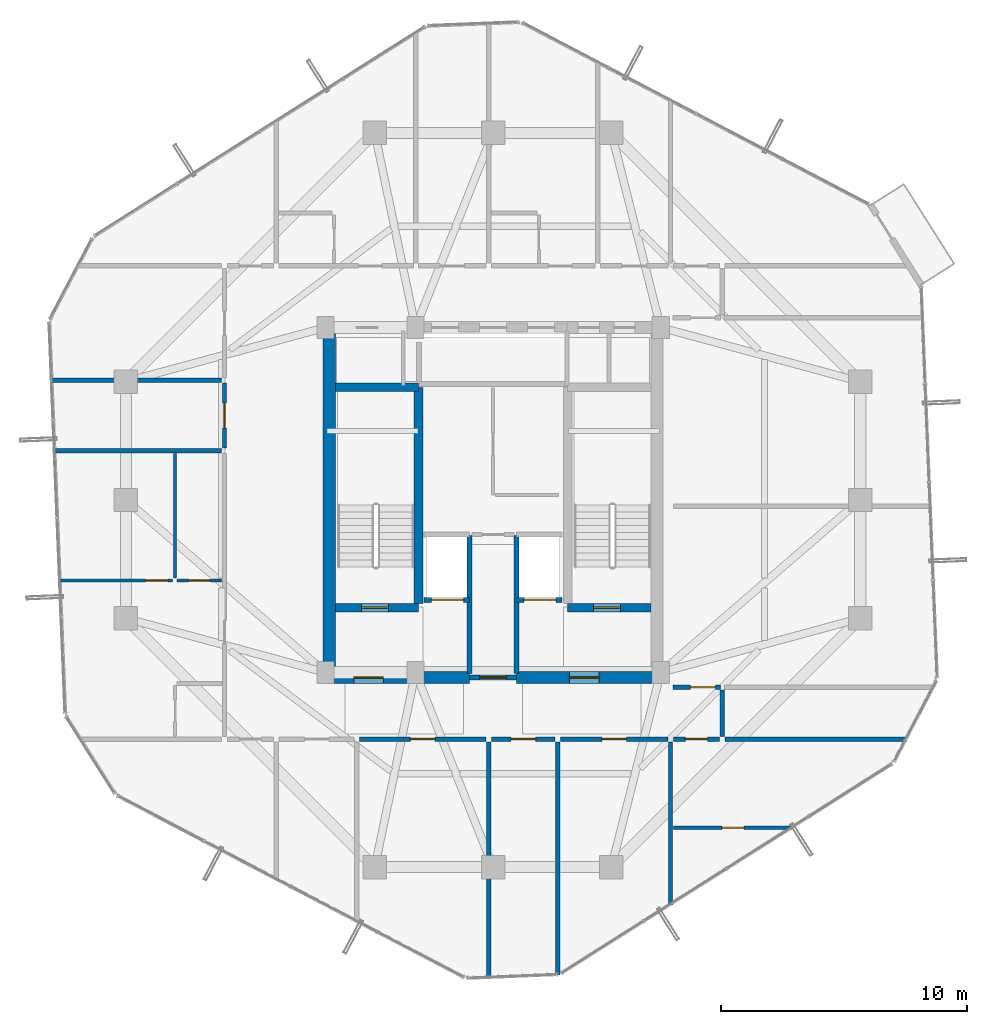
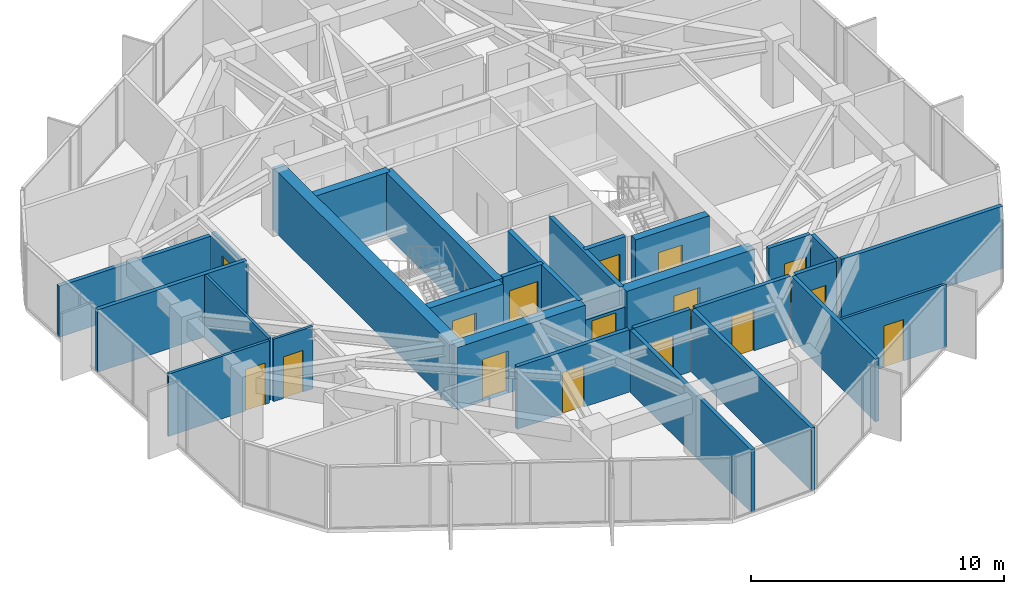
# One storey, part 29 of 33: 29 walls, 16 doors, 16 openings.
"""IFC4 building model written with IfcOpenShell, lengths in metres."""

from ifc_helpers import new_model, si_unit, direction, frame, frame_2d, origin, place, context, subcontext, project, spatial, rectangle, extrude, source, transform, mapped, material, layer, layer_set, type_object, element, fill, save


model = new_model("IFC4")

# Units and contexts
model_context = context("Model", 3, precision=1e-05, world=origin(), true_north=direction((0.0, 1.0)))
body_context = subcontext(model_context, "Body", "Model", "MODEL_VIEW")
ifc_project = project(units=[si_unit("LENGTHUNIT", "METRE"), si_unit("AREAUNIT", "SQUARE_METRE"), si_unit("VOLUMEUNIT", "CUBIC_METRE"), si_unit("PLANEANGLEUNIT", "RADIAN"), si_unit("MASSUNIT", "GRAM", prefix="KILO")], contexts=[model_context])

# Site, building, storey
site_placement = place(None, origin())
site = spatial("IfcSite", under=ifc_project, at=site_placement, CompositionType="ELEMENT")
building_placement = place(site_placement, origin())
building = spatial("IfcBuilding", under=site, at=building_placement, Name="Veraguas Prism Commons", CompositionType="ELEMENT")
storey_placement = place(building_placement, frame((0.0, 0.0, 198.35009765625)))
storey = spatial("IfcBuildingStorey", under=building, at=storey_placement, Name="L56", CompositionType="ELEMENT", Elevation=198.35009765625)

# Wall, opening, door
ifc_material_1 = material(Name="Concrete C50/60", Category="concrete")
ifc_layer_1 = layer(ifc_material_1, 0.35009765625, Name="Core Internal Shear Wall Upper RC 350", Category="concrete")
ifc_layer_set_1 = layer_set([ifc_layer_1], Name="Concrete C50/60")
wall_type_1 = type_object("IfcWallType", Name="Core Internal Shear Wall Upper RC 350", PredefinedType="SHEAR", material=ifc_layer_set_1)
wall_1_placement = place(storey_placement, frame((17.60009765625, 19.625, 0.0), z_axis=(0.0, 0.0, 1.0), x_axis=(1.0, 0.0, 0.0)))
wall_1 = element("IfcWall", 1, at=wall_1_placement, inside=storey, type_object=wall_type_1, Name="Stair ST-01 South Shear Wall L56", PredefinedType="SHEAR", context=body_context, shape_type="SweptSolid", body=[
    extrude(rectangle(XDim=3.375, YDim=0.35009765625, at=frame_2d((1.6875, 0.0))), origin(), (0.0, 0.0, 1.0), 3.014892578125),
])
opening_1_placement = place(wall_1_placement, frame((1.050048828125, 0.0, 0.0)))
opening_1 = element("IfcOpeningElement", 2, at=opening_1_placement, cuts=wall_1, Name="Opening DR-05", PredefinedType="OPENING", context=body_context, shape_type="SweptSolid", body=[
    extrude(rectangle(XDim=1.10009765625, YDim=2.030029296875, at=frame_2d((0.550048828125, 1.01513671875))), frame((0.0, 0.18505859375, 0.0), z_axis=(0.0, -1.0, 0.0), x_axis=(1.0, 0.0, 0.0)), (0.0, 0.0, 1.0), 0.3701171875),
])
ifc_material_2 = material(Name="Steel fire-rated door assembly", Category="steel")
door_type_1 = type_object("IfcDoorType", Name="Protected Stair and Refuge Fire Door 1100x2030", OperationType="NOTDEFINED", PredefinedType="DOOR", material=ifc_material_2)
shared_shape_1 = source(origin(), body_context, "Body", "SweptSolid", [
    extrude(rectangle(XDim=1.10009765625, YDim=2.030029296875, at=frame_2d((0.550048828125, 1.01513671875))), frame((0.0, 0.02490234375, 0.0), z_axis=(0.0, -1.0, 0.0), x_axis=(1.0, 0.0, 0.0)), (0.0, 0.0, 1.0), 0.050048828125),
])
door_1_placement = place(opening_1_placement, origin())
door_1 = element("IfcDoor", 3, at=door_1_placement, inside=storey, type_object=door_type_1, Name="Stair ST-01 Enclosure Door L56", OperationType="SINGLE_SWING_RIGHT", OverallHeight=2.030029296875, OverallWidth=1.10009765625, PredefinedType="DOOR", context=body_context, shape_type="MappedRepresentation", body=[
    mapped(shared_shape_1, transform((0.0, 0.0, 0.0), scale=1.0)),
])
fill(opening_1, door_1)

wall_2_placement = place(storey_placement, frame((27.02490234375, 19.625, 0.0), z_axis=(0.0, 0.0, 1.0), x_axis=(1.0, 0.0, 0.0)))
wall_2 = element("IfcWall", 4, at=wall_2_placement, inside=storey, type_object=wall_type_1, Name="Stair ST-02 South Shear Wall L56", PredefinedType="SHEAR", context=body_context, shape_type="SweptSolid", body=[
    extrude(rectangle(XDim=3.375, YDim=0.35009765625, at=frame_2d((1.6875, 0.0))), origin(), (0.0, 0.0, 1.0), 3.014892578125),
])
opening_2_placement = place(wall_2_placement, frame((1.050048828125, 0.0, 0.0)))
opening_2 = element("IfcOpeningElement", 5, at=opening_2_placement, cuts=wall_2, Name="Opening DR-05", PredefinedType="OPENING", context=body_context, shape_type="SweptSolid", body=[
    extrude(rectangle(XDim=1.10009765625, YDim=2.030029296875, at=frame_2d((0.550048828125, 1.01513671875))), frame((0.0, 0.18505859375, 0.0), z_axis=(0.0, -1.0, 0.0), x_axis=(1.0, 0.0, 0.0)), (0.0, 0.0, 1.0), 0.3701171875),
])
door_2_placement = place(opening_2_placement, origin())
door_2 = element("IfcDoor", 6, at=door_2_placement, inside=storey, type_object=door_type_1, Name="Stair ST-02 Enclosure Door L56", OperationType="SINGLE_SWING_LEFT", OverallHeight=2.030029296875, OverallWidth=1.10009765625, PredefinedType="DOOR", context=body_context, shape_type="MappedRepresentation", body=[
    mapped(shared_shape_1, transform((0.0, 0.0, 0.0), scale=1.0)),
])
fill(opening_2, door_2)

# Walls
wall_3_placement = place(storey_placement, frame((20.97509765625, 19.800048828125, 0.0), z_axis=(0.0, 0.0, 1.0), x_axis=(0.0, 1.0, 0.0)))
element("IfcWall", 7, at=wall_3_placement, inside=storey, type_object=wall_type_1, Name="Stair ST-01 Inner Shear Wall L56", PredefinedType="SHEAR", context=body_context, shape_type="SweptSolid", body=[
    extrude(rectangle(XDim=8.77490234375, YDim=0.35009765625, at=frame_2d((4.387451171875, 0.0))), origin(), (0.0, 0.0, 1.0), 3.014892578125),
])
wall_4_placement = place(storey_placement, frame((17.60009765625, 28.574951171875, 0.0), z_axis=(0.0, 0.0, 1.0), x_axis=(1.0, 0.0, 0.0)))
element("IfcWall", 8, at=wall_4_placement, inside=storey, type_object=wall_type_1, Name="Stair ST-01 North Shear Wall L56", PredefinedType="SHEAR", context=body_context, shape_type="SweptSolid", body=[
    extrude(rectangle(XDim=3.375, YDim=0.35009765625, at=frame_2d((1.6875, 0.0))), origin(), (0.0, 0.0, 1.0), 3.014892578125),
])
ifc_layer_2 = layer(ifc_material_1, 0.5, Name="Core Outer Shear Wall Upper RC 500", Category="concrete")
ifc_layer_set_2 = layer_set([ifc_layer_2], Name="Concrete C50/60")
wall_type_2 = type_object("IfcWallType", Name="Core Outer Shear Wall Upper RC 500", PredefinedType="SHEAR", material=ifc_layer_set_2)
wall_5_placement = place(storey_placement, frame((17.35009765625, 16.800048828125, 0.0), z_axis=(0.0, 0.0, 1.0), x_axis=(0.0, 1.0, 0.0)))
element("IfcWall", 9, at=wall_5_placement, inside=storey, type_object=wall_type_2, Name="Central Core West Shear Wall L56", PredefinedType="SHEAR", context=body_context, shape_type="SweptSolid", body=[
    extrude(rectangle(XDim=14.199951171875, YDim=0.5, at=frame_2d((7.10009765625, 0.0))), origin(), (0.0, 0.0, 1.0), 3.014892578125),
])

# Wall, opening, door
wall_6_placement = place(storey_placement, frame((17.199951171875, 16.800048828125, 0.0), z_axis=(0.0, 0.0, 1.0), x_axis=(1.0, 0.0, 0.0)))
wall_6 = element("IfcWall", 10, at=wall_6_placement, inside=storey, type_object=wall_type_2, Name="Central Core South-West Shear Wall L56", PredefinedType="SHEAR", context=body_context, shape_type="SweptSolid", body=[
    extrude(rectangle(XDim=5.85009765625, YDim=0.5, at=frame_2d((2.925048828125, 0.0))), origin(), (0.0, 0.0, 1.0), 3.014892578125),
])
opening_3_placement = place(wall_6_placement, frame((1.14990234375, 0.0, 0.0)))
opening_3 = element("IfcOpeningElement", 11, at=opening_3_placement, cuts=wall_6, Name="Opening DR-06", PredefinedType="OPENING", context=body_context, shape_type="SweptSolid", body=[
    extrude(rectangle(XDim=1.199951171875, YDim=2.030029296875, at=frame_2d((0.60009765625, 1.01513671875))), frame((0.0, 0.260009765625, 0.0), z_axis=(0.0, -1.0, 0.0), x_axis=(1.0, 0.0, 0.0)), (0.0, 0.0, 1.0), 0.52001953125),
])
door_type_2 = type_object("IfcDoorType", Name="Firefighting Lobby Smoke Door 1200x2030", OperationType="NOTDEFINED", PredefinedType="DOOR", material=ifc_material_2)
shared_shape_2 = source(origin(), body_context, "Body", "SweptSolid", [
    extrude(rectangle(XDim=1.199951171875, YDim=2.030029296875, at=frame_2d((0.60009765625, 1.01513671875))), frame((0.0, 0.02490234375, 0.0), z_axis=(0.0, -1.0, 0.0), x_axis=(1.0, 0.0, 0.0)), (0.0, 0.0, 1.0), 0.050048828125),
])
door_3_placement = place(opening_3_placement, origin())
door_3 = element("IfcDoor", 12, at=door_3_placement, inside=storey, type_object=door_type_2, Name="West FF Lobby Door L56", OperationType="SINGLE_SWING_RIGHT", OverallHeight=2.030029296875, OverallWidth=1.199951171875, PredefinedType="DOOR", context=body_context, shape_type="MappedRepresentation", body=[
    mapped(shared_shape_2, transform((0.0, 0.0, 0.0), scale=1.0)),
])
fill(opening_3, door_3)

wall_7_placement = place(storey_placement, frame((24.949951171875, 16.800048828125, 0.0), z_axis=(0.0, 0.0, 1.0), x_axis=(1.0, 0.0, 0.0)))
wall_7 = element("IfcWall", 13, at=wall_7_placement, inside=storey, type_object=wall_type_2, Name="Central Core South-East Shear Wall L56", PredefinedType="SHEAR", context=body_context, shape_type="SweptSolid", body=[
    extrude(rectangle(XDim=5.85009765625, YDim=0.5, at=frame_2d((2.925048828125, 0.0))), origin(), (0.0, 0.0, 1.0), 3.014892578125),
])
opening_4_placement = place(wall_7_placement, frame((2.14990234375, 0.0, 0.0)))
opening_4 = element("IfcOpeningElement", 14, at=opening_4_placement, cuts=wall_7, Name="Opening DR-06", PredefinedType="OPENING", context=body_context, shape_type="SweptSolid", body=[
    extrude(rectangle(XDim=1.199951171875, YDim=2.030029296875, at=frame_2d((0.60009765625, 1.01513671875))), frame((0.0, 0.260009765625, 0.0), z_axis=(0.0, -1.0, 0.0), x_axis=(1.0, 0.0, 0.0)), (0.0, 0.0, 1.0), 0.52001953125),
])
door_4_placement = place(opening_4_placement, origin())
door_4 = element("IfcDoor", 15, at=door_4_placement, inside=storey, type_object=door_type_2, Name="East FF Lobby Door L56", OperationType="SINGLE_SWING_RIGHT", OverallHeight=2.030029296875, OverallWidth=1.199951171875, PredefinedType="DOOR", context=body_context, shape_type="MappedRepresentation", body=[
    mapped(shared_shape_2, transform((0.0, 0.0, 0.0), scale=1.0)),
])
fill(opening_4, door_4)

# Wall
ifc_material_3 = material(Name="Autoclaved aerated masonry block 10 MPa", Category="masonry")
ifc_layer_3 = layer(ifc_material_3, 0.179931640625, Name="Corridor and Inter-Tenancy Partition 180", Category="masonry")
ifc_layer_set_3 = layer_set([ifc_layer_3], Name="Autoclaved aerated masonry block 10 MPa")
wall_type_3 = type_object("IfcWallType", Name="Corridor and Inter-Tenancy Partition 180", PredefinedType="PARTITIONING", material=ifc_layer_set_3)
wall_8_placement = place(storey_placement, frame((31.199951171875, 14.179931640625, 0.0), z_axis=(0.0, 0.0, 1.0), x_axis=(0.0, -1.0, 0.0)))
element("IfcWall", 16, at=wall_8_placement, inside=storey, type_object=wall_type_3, Name="WL-L56-PT002", PredefinedType="PARTITIONING", context=body_context, shape_type="SweptSolid", body=[
    extrude(rectangle(XDim=6.618408203125, YDim=0.179931640625, at=frame_2d((3.30908203125, 0.0))), origin(), (0.0, 0.0, 1.0), 3.014892578125),
])

# Wall, opening, door
wall_9_placement = place(storey_placement, frame((18.5859375, 14.300048828125, 0.0), z_axis=(0.0, 0.0, 1.0), x_axis=(1.0, 0.0, 0.0)))
wall_9 = element("IfcWall", 17, at=wall_9_placement, inside=storey, type_object=wall_type_3, Name="WL-L56-PT004", PredefinedType="PARTITIONING", context=body_context, shape_type="SweptSolid", body=[
    extrude(rectangle(XDim=5.1240234375, YDim=0.179931640625, at=frame_2d((2.56201171875, 0.0))), origin(), (0.0, 0.0, 1.0), 3.014892578125),
])
opening_5_placement = place(wall_9_placement, frame((2.06201171875, 0.0, 0.0)))
opening_5 = element("IfcOpeningElement", 18, at=opening_5_placement, cuts=wall_9, Name="Opening DR-13", PredefinedType="OPENING", context=body_context, shape_type="SweptSolid", body=[
    extrude(rectangle(XDim=1.0, YDim=2.010009765625, at=frame_2d((0.5, 1.0048828125))), frame((0.0, 0.099853515625, 0.0), z_axis=(0.0, -1.0, 0.0), x_axis=(1.0, 0.0, 0.0)), (0.0, 0.0, 1.0), 0.199951171875),
])
door_type_3 = type_object("IfcDoorType", Name="Core Accessible WC and Clinic Fire Door 1000x2010", OperationType="NOTDEFINED", PredefinedType="DOOR", material=ifc_material_2)
shared_shape_3 = source(origin(), body_context, "Body", "SweptSolid", [
    extrude(rectangle(XDim=1.0, YDim=2.010009765625, at=frame_2d((0.5, 1.0048828125))), frame((0.0, 0.02490234375, 0.0), z_axis=(0.0, -1.0, 0.0), x_axis=(1.0, 0.0, 0.0)), (0.0, 0.0, 1.0), 0.050048828125),
])
door_5_placement = place(opening_5_placement, origin())
door_5 = element("IfcDoor", 19, at=door_5_placement, inside=storey, type_object=door_type_3, Name="Co-op Store S Door", OperationType="SINGLE_SWING_LEFT", OverallHeight=2.010009765625, OverallWidth=1.0, PredefinedType="DOOR", context=body_context, shape_type="MappedRepresentation", body=[
    mapped(shared_shape_3, transform((0.0, 0.0, 0.0), scale=1.0)),
])
fill(opening_5, door_5)

# Wall
wall_10_placement = place(storey_placement, frame((23.820068359375, 14.179931640625, 0.0), z_axis=(0.0, 0.0, 1.0), x_axis=(0.0, -1.0, 0.0)))
element("IfcWall", 20, at=wall_10_placement, inside=storey, type_object=wall_type_3, Name="WL-L56-PT006", PredefinedType="PARTITIONING", context=body_context, shape_type="SweptSolid", body=[
    extrude(rectangle(XDim=9.57666015625, YDim=0.179931640625, at=frame_2d((4.788330078125, 0.0))), origin(), (0.0, 0.0, 1.0), 3.014892578125),
])

# Wall, opening, door
wall_11_placement = place(storey_placement, frame((23.929931640625, 14.300048828125, 0.0), z_axis=(0.0, 0.0, 1.0), x_axis=(1.0, 0.0, 0.0)))
wall_11 = element("IfcWall", 21, at=wall_11_placement, inside=storey, type_object=wall_type_3, Name="WL-L56-PT007", PredefinedType="PARTITIONING", context=body_context, shape_type="SweptSolid", body=[
    extrude(rectangle(XDim=2.583984375, YDim=0.179931640625, at=frame_2d((1.2919921875, 0.0))), origin(), (0.0, 0.0, 1.0), 3.014892578125),
])
opening_6_placement = place(wall_11_placement, frame((0.7919921875, 0.0, 0.0)))
opening_6 = element("IfcOpeningElement", 22, at=opening_6_placement, cuts=wall_11, Name="Opening DR-13", PredefinedType="OPENING", context=body_context, shape_type="SweptSolid", body=[
    extrude(rectangle(XDim=1.0, YDim=2.010009765625, at=frame_2d((0.5, 1.0048828125))), frame((0.0, 0.099853515625, 0.0), z_axis=(0.0, -1.0, 0.0), x_axis=(1.0, 0.0, 0.0)), (0.0, 0.0, 1.0), 0.199951171875),
])
door_6_placement = place(opening_6_placement, origin())
door_6 = element("IfcDoor", 23, at=door_6_placement, inside=storey, type_object=door_type_3, Name="Youth Homework Study Room Door", OperationType="SINGLE_SWING_RIGHT", OverallHeight=2.010009765625, OverallWidth=1.0, PredefinedType="DOOR", context=body_context, shape_type="MappedRepresentation", body=[
    mapped(shared_shape_3, transform((0.0, 0.0, 0.0), scale=1.0)),
])
fill(opening_6, door_6)

wall_12_placement = place(storey_placement, frame((26.73388671875, 14.300048828125, 0.0), z_axis=(0.0, 0.0, 1.0), x_axis=(1.0, 0.0, 0.0)))
wall_12 = element("IfcWall", 24, at=wall_12_placement, inside=storey, type_object=wall_type_3, Name="WL-L56-PT008", PredefinedType="PARTITIONING", context=body_context, shape_type="SweptSolid", body=[
    extrude(rectangle(XDim=4.356201171875, YDim=0.179931640625, at=frame_2d((2.17822265625, 0.0))), origin(), (0.0, 0.0, 1.0), 3.014892578125),
])
opening_7_placement = place(wall_12_placement, frame((1.677978515625, 0.0, 0.0)))
opening_7 = element("IfcOpeningElement", 25, at=opening_7_placement, cuts=wall_12, Name="Opening DR-13", PredefinedType="OPENING", context=body_context, shape_type="SweptSolid", body=[
    extrude(rectangle(XDim=1.0, YDim=2.010009765625, at=frame_2d((0.5, 1.0048828125))), frame((0.0, 0.099853515625, 0.0), z_axis=(0.0, -1.0, 0.0), x_axis=(1.0, 0.0, 0.0)), (0.0, 0.0, 1.0), 0.199951171875),
])
door_7_placement = place(opening_7_placement, origin())
door_7 = element("IfcDoor", 26, at=door_7_placement, inside=storey, type_object=door_type_3, Name="Co-op Store S Door", OperationType="SINGLE_SWING_LEFT", OverallHeight=2.010009765625, OverallWidth=1.0, PredefinedType="DOOR", context=body_context, shape_type="MappedRepresentation", body=[
    mapped(shared_shape_3, transform((0.0, 0.0, 0.0), scale=1.0)),
])
fill(opening_7, door_7)

# Walls
wall_13_placement = place(storey_placement, frame((26.6240234375, 14.179931640625, 0.0), z_axis=(0.0, 0.0, 1.0), x_axis=(0.0, -1.0, 0.0)))
element("IfcWall", 27, at=wall_13_placement, inside=storey, type_object=wall_type_3, Name="WL-L56-PT009", PredefinedType="PARTITIONING", context=body_context, shape_type="SweptSolid", body=[
    extrude(rectangle(XDim=9.4619140625, YDim=0.179931640625, at=frame_2d((4.73095703125, 0.0))), origin(), (0.0, 0.0, 1.0), 3.014892578125),
])
wall_14_placement = place(storey_placement, frame((12.97998046875, 26.00390625, 0.0), z_axis=(0.0, 0.0, 1.0), x_axis=(-1.0, 0.0, 0.0)))
element("IfcWall", 28, at=wall_14_placement, inside=storey, type_object=wall_type_3, Name="WL-L56-PT031", PredefinedType="PARTITIONING", context=body_context, shape_type="SweptSolid", body=[
    extrude(rectangle(XDim=6.81689453125, YDim=0.179931640625, at=frame_2d((3.408447265625, 0.0))), origin(), (0.0, 0.0, 1.0), 3.014892578125),
])

# Wall, opening, door
wall_15_placement = place(storey_placement, frame((13.10009765625, 26.114013671875, 0.0), z_axis=(0.0, 0.0, 1.0), x_axis=(0.0, 1.0, 0.0)))
wall_15 = element("IfcWall", 29, at=wall_15_placement, inside=storey, type_object=wall_type_3, Name="WL-L56-PT032", PredefinedType="PARTITIONING", context=body_context, shape_type="SweptSolid", body=[
    extrude(rectangle(XDim=2.6279296875, YDim=0.179931640625, at=frame_2d((1.31396484375, 0.0))), origin(), (0.0, 0.0, 1.0), 2.661865234375),
])
opening_8_placement = place(wall_15_placement, frame((0.81396484375, 0.0, 0.0)))
opening_8 = element("IfcOpeningElement", 30, at=opening_8_placement, cuts=wall_15, Name="Opening DR-13", PredefinedType="OPENING", context=body_context, shape_type="SweptSolid", body=[
    extrude(rectangle(XDim=1.0, YDim=2.010009765625, at=frame_2d((0.5, 1.0048828125))), frame((0.0, 0.099853515625, 0.0), z_axis=(0.0, -1.0, 0.0), x_axis=(1.0, 0.0, 0.0)), (0.0, 0.0, 1.0), 0.199951171875),
])
door_8_placement = place(opening_8_placement, origin())
door_8 = element("IfcDoor", 31, at=door_8_placement, inside=storey, type_object=door_type_3, Name="Residents Study Room Door", OperationType="SINGLE_SWING_RIGHT", OverallHeight=2.010009765625, OverallWidth=1.0, PredefinedType="DOOR", context=body_context, shape_type="MappedRepresentation", body=[
    mapped(shared_shape_3, transform((0.0, 0.0, 0.0), scale=1.0)),
])
fill(opening_8, door_8)

# Walls
wall_16_placement = place(storey_placement, frame((12.97998046875, 28.85205078125, 0.0), z_axis=(0.0, 0.0, 1.0), x_axis=(-1.0, 0.0, 0.0)))
element("IfcWall", 32, at=wall_16_placement, inside=storey, type_object=wall_type_3, Name="WL-L56-PT034", PredefinedType="PARTITIONING", context=body_context, shape_type="SweptSolid", body=[
    extrude(rectangle(XDim=6.933349609375, YDim=0.179931640625, at=frame_2d((3.466796875, 0.0))), origin(), (0.0, 0.0, 1.0), 2.468994140625),
])
wall_17_placement = place(storey_placement, frame((33.300048828125, 14.39990234375, 0.0), z_axis=(0.0, 0.0, 1.0), x_axis=(0.0, 1.0, 0.0)))
element("IfcWall", 33, at=wall_17_placement, inside=storey, type_object=wall_type_3, Name="WL-L56-PT036", PredefinedType="PARTITIONING", context=body_context, shape_type="SweptSolid", body=[
    extrude(rectangle(XDim=1.900146484375, YDim=0.179931640625, at=frame_2d((0.9501953125, 0.0))), origin(), (0.0, 0.0, 1.0), 3.014892578125),
])

# Wall, opening, door
wall_18_placement = place(storey_placement, frame((31.300048828125, 16.39990234375, 0.0), z_axis=(0.0, 0.0, 1.0), x_axis=(1.0, 0.0, 0.0)))
wall_18 = element("IfcWall", 34, at=wall_18_placement, inside=storey, type_object=wall_type_3, Name="WL-L56-PT038", PredefinedType="PARTITIONING", context=body_context, shape_type="SweptSolid", body=[
    extrude(rectangle(XDim=1.919921875, YDim=0.179931640625, at=frame_2d((0.9599609375, 0.0))), origin(), (0.0, 0.0, 1.0), 3.014892578125),
])
opening_9_placement = place(wall_18_placement, frame((0.719970703125, 0.0, 0.0)))
opening_9 = element("IfcOpeningElement", 35, at=opening_9_placement, cuts=wall_18, Name="Opening DR-13", PredefinedType="OPENING", context=body_context, shape_type="SweptSolid", body=[
    extrude(rectangle(XDim=1.0, YDim=2.010009765625, at=frame_2d((0.5, 1.0048828125))), frame((0.0, 0.099853515625, 0.0), z_axis=(0.0, -1.0, 0.0), x_axis=(1.0, 0.0, 0.0)), (0.0, 0.0, 1.0), 0.199951171875),
])
door_9_placement = place(opening_9_placement, origin())
door_9 = element("IfcDoor", 36, at=door_9_placement, inside=storey, type_object=door_type_3, Name="Panorama Lounge Door L56", OperationType="SINGLE_SWING_RIGHT", OverallHeight=2.010009765625, OverallWidth=1.0, PredefinedType="DOOR", context=body_context, shape_type="MappedRepresentation", body=[
    mapped(shared_shape_3, transform((0.0, 0.0, 0.0), scale=1.0)),
])
fill(opening_9, door_9)

# Wall
wall_19_placement = place(storey_placement, frame((33.419921875, 14.300048828125, 0.0), z_axis=(0.0, 0.0, 1.0), x_axis=(1.0, 0.0, 0.0)))
element("IfcWall", 37, at=wall_19_placement, inside=storey, type_object=wall_type_3, Name="WL-L56-PT043", PredefinedType="PARTITIONING", context=body_context, shape_type="SweptSolid", body=[
    extrude(rectangle(XDim=7.368896484375, YDim=0.179931640625, at=frame_2d((3.6845703125, 0.0))), origin(), (0.0, 0.0, 1.0), 3.014892578125),
])

# Wall, opening, door
wall_20_placement = place(storey_placement, frame((31.320068359375, 14.300048828125, 0.0), z_axis=(0.0, 0.0, 1.0), x_axis=(1.0, 0.0, 0.0)))
wall_20 = element("IfcWall", 38, at=wall_20_placement, inside=storey, type_object=wall_type_3, Name="WL-L56-PT044", PredefinedType="PARTITIONING", context=body_context, shape_type="SweptSolid", body=[
    extrude(rectangle(XDim=1.85986328125, YDim=0.179931640625, at=frame_2d((0.929931640625, 0.0))), origin(), (0.0, 0.0, 1.0), 3.014892578125),
])
opening_10_placement = place(wall_20_placement, frame((0.47998046875, 0.0, 0.0)))
opening_10 = element("IfcOpeningElement", 39, at=opening_10_placement, cuts=wall_20, Name="Opening DR-14", PredefinedType="OPENING", context=body_context, shape_type="SweptSolid", body=[
    extrude(rectangle(XDim=0.89990234375, YDim=2.010009765625, at=frame_2d((0.449951171875, 1.0048828125))), frame((0.0, 0.099853515625, 0.0), z_axis=(0.0, -1.0, 0.0), x_axis=(1.0, 0.0, 0.0)), (0.0, 0.0, 1.0), 0.199951171875),
])
door_type_4 = type_object("IfcDoorType", Name="Core Service Room Fire Door 900x2010", OperationType="NOTDEFINED", PredefinedType="DOOR", material=ifc_material_2)
shared_shape_4 = source(origin(), body_context, "Body", "SweptSolid", [
    extrude(rectangle(XDim=0.89990234375, YDim=2.010009765625, at=frame_2d((0.449951171875, 1.0048828125))), frame((0.0, 0.02490234375, 0.0), z_axis=(0.0, -1.0, 0.0), x_axis=(1.0, 0.0, 0.0)), (0.0, 0.0, 1.0), 0.050048828125),
])
door_10_placement = place(opening_10_placement, origin())
door_10 = element("IfcDoor", 40, at=door_10_placement, inside=storey, type_object=door_type_4, Name="Corner Study SE Door", OperationType="SINGLE_SWING_LEFT", OverallHeight=2.010009765625, OverallWidth=0.89990234375, PredefinedType="DOOR", context=body_context, shape_type="MappedRepresentation", body=[
    mapped(shared_shape_4, transform((0.0, 0.0, 0.0), scale=1.0)),
])
fill(opening_10, door_10)

ifc_material_4 = material(Name="Lightweight acoustic gypsum board")
ifc_layer_4 = layer(ifc_material_4, 0.125, Name="Internal Apartment Room Partition 125")
ifc_layer_set_4 = layer_set([ifc_layer_4], Name="Lightweight acoustic gypsum board")
wall_type_4 = type_object("IfcWallType", Name="Internal Apartment Room Partition 125", PredefinedType="PARTITIONING", material=ifc_layer_set_4)
wall_21_placement = place(storey_placement, frame((12.97998046875, 20.737060546875, 0.0), z_axis=(0.0, 0.0, 1.0), x_axis=(-1.0, 0.0, 0.0)))
wall_21 = element("IfcWall", 41, at=wall_21_placement, inside=storey, type_object=wall_type_4, Name="WL-L56-PT028", PredefinedType="PARTITIONING", context=body_context, shape_type="SweptSolid", body=[
    extrude(rectangle(XDim=1.800048828125, YDim=0.125, at=frame_2d((0.89990234375, 0.0))), origin(), (0.0, 0.0, 1.0), 3.014892578125),
])
opening_11_placement = place(wall_21_placement, frame((0.449951171875, 0.0, 0.0)))
opening_11 = element("IfcOpeningElement", 42, at=opening_11_placement, cuts=wall_21, Name="Opening DR-02", PredefinedType="OPENING", context=body_context, shape_type="SweptSolid", body=[
    extrude(rectangle(XDim=0.89990234375, YDim=2.010009765625, at=frame_2d((0.449951171875, 1.0048828125))), frame((0.0, 0.072509765625, 0.0), z_axis=(0.0, -1.0, 0.0), x_axis=(1.0, 0.0, 0.0)), (0.0, 0.0, 1.0), 0.14501953125),
])
ifc_material_5 = material(Name="Timber solid core hardwood", Category="wood")
door_type_5 = type_object("IfcDoorType", Name="Internal Habitable Room Door 900x2010", OperationType="NOTDEFINED", PredefinedType="DOOR", material=ifc_material_5)
door_11_placement = place(opening_11_placement, origin())
door_11 = element("IfcDoor", 43, at=door_11_placement, inside=storey, type_object=door_type_5, Name="Flat 56C Kitchen Door", OperationType="SINGLE_SWING_RIGHT", OverallHeight=2.010009765625, OverallWidth=0.89990234375, PredefinedType="DOOR", context=body_context, shape_type="MappedRepresentation", body=[
    mapped(shared_shape_4, transform((0.0, 0.0, 0.0), scale=1.0)),
])
fill(opening_11, door_11)

# Wall
wall_22_placement = place(storey_placement, frame((11.10009765625, 20.8369140625, 0.0), z_axis=(0.0, 0.0, 1.0), x_axis=(0.0, 1.0, 0.0)))
element("IfcWall", 44, at=wall_22_placement, inside=storey, type_object=wall_type_4, Name="WL-L56-PT029", PredefinedType="PARTITIONING", context=body_context, shape_type="SweptSolid", body=[
    extrude(rectangle(XDim=5.047119140625, YDim=0.125, at=frame_2d((2.5234375, 0.0))), origin(), (0.0, 0.0, 1.0), 3.014892578125),
])

# Wall, opening, door
wall_23_placement = place(storey_placement, frame((11.0, 20.737060546875, 0.0), z_axis=(0.0, 0.0, 1.0), x_axis=(-1.0, 0.0, 0.0)))
wall_23 = element("IfcWall", 45, at=wall_23_placement, inside=storey, type_object=wall_type_4, Name="WL-L56-PT030", PredefinedType="PARTITIONING", context=body_context, shape_type="SweptSolid", body=[
    extrude(rectangle(XDim=4.62158203125, YDim=0.125, at=frame_2d((2.310791015625, 0.0))), origin(), (0.0, 0.0, 1.0), 3.014892578125),
])
opening_12_placement = place(wall_23_placement, frame((0.199951171875, 0.0, 0.0)))
opening_12 = element("IfcOpeningElement", 46, at=opening_12_placement, cuts=wall_23, Name="Opening DR-02", PredefinedType="OPENING", context=body_context, shape_type="SweptSolid", body=[
    extrude(rectangle(XDim=0.89990234375, YDim=2.010009765625, at=frame_2d((0.449951171875, 1.0048828125))), frame((0.0, 0.072509765625, 0.0), z_axis=(0.0, -1.0, 0.0), x_axis=(1.0, 0.0, 0.0)), (0.0, 0.0, 1.0), 0.14501953125),
])
door_12_placement = place(opening_12_placement, origin())
door_12 = element("IfcDoor", 47, at=door_12_placement, inside=storey, type_object=door_type_5, Name="Flat 56C Bedroom 1 Door", OperationType="SINGLE_SWING_LEFT", OverallHeight=2.010009765625, OverallWidth=0.89990234375, PredefinedType="DOOR", context=body_context, shape_type="MappedRepresentation", body=[
    mapped(shared_shape_4, transform((0.0, 0.0, 0.0), scale=1.0)),
])
fill(opening_12, door_12)

wall_24_placement = place(storey_placement, frame((31.320068359375, 10.699951171875, 0.0), z_axis=(0.0, 0.0, 1.0), x_axis=(1.0, 0.0, 0.0)))
wall_24 = element("IfcWall", 48, at=wall_24_placement, inside=storey, type_object=wall_type_4, Name="WL-L56-PT045", PredefinedType="PARTITIONING", context=body_context, shape_type="SweptSolid", body=[
    extrude(rectangle(XDim=4.836669921875, YDim=0.125, at=frame_2d((2.41845703125, 0.0))), origin(), (0.0, 0.0, 1.0), 3.014892578125),
])
opening_13_placement = place(wall_24_placement, frame((1.968505859375, 0.0, 0.0)))
opening_13 = element("IfcOpeningElement", 49, at=opening_13_placement, cuts=wall_24, Name="Opening DR-02", PredefinedType="OPENING", context=body_context, shape_type="SweptSolid", body=[
    extrude(rectangle(XDim=0.89990234375, YDim=2.010009765625, at=frame_2d((0.449951171875, 1.0048828125))), frame((0.0, 0.072509765625, 0.0), z_axis=(0.0, -1.0, 0.0), x_axis=(1.0, 0.0, 0.0)), (0.0, 0.0, 1.0), 0.14501953125),
])
door_13_placement = place(opening_13_placement, origin())
door_13 = element("IfcDoor", 50, at=door_13_placement, inside=storey, type_object=door_type_5, Name="Craft Room SE Door", OperationType="SINGLE_SWING_RIGHT", OverallHeight=2.010009765625, OverallWidth=0.89990234375, PredefinedType="DOOR", context=body_context, shape_type="MappedRepresentation", body=[
    mapped(shared_shape_4, transform((0.0, 0.0, 0.0), scale=1.0)),
])
fill(opening_13, door_13)

ifc_layer_5 = layer(ifc_material_3, 0.199951171875, Name="Rated Shaft and Lobby Block Wall 200", Category="masonry")
ifc_layer_set_5 = layer_set([ifc_layer_5], Name="Autoclaved aerated masonry block 10 MPa")
wall_type_5 = type_object("IfcWallType", Name="Rated Shaft and Lobby Block Wall 200", PredefinedType="SOLIDWALL", material=ifc_layer_set_5)
wall_25_placement = place(storey_placement, frame((23.050048828125, 16.800048828125, 0.0), z_axis=(0.0, 0.0, 1.0), x_axis=(1.0, 0.0, 0.0)))
wall_25 = element("IfcWall", 51, at=wall_25_placement, inside=storey, type_object=wall_type_5, Name="Central Core Lobby Entrance Wall L56", PredefinedType="SOLIDWALL", context=body_context, shape_type="SweptSolid", body=[
    extrude(rectangle(XDim=1.89990234375, YDim=0.199951171875, at=frame_2d((0.949951171875, 0.0))), origin(), (0.0, 0.0, 1.0), 2.164794921875),
])
opening_14_placement = place(wall_25_placement, frame((0.39990234375, 0.0, 0.0)))
opening_14 = element("IfcOpeningElement", 52, at=opening_14_placement, cuts=wall_25, Name="Opening DR-05", PredefinedType="OPENING", context=body_context, shape_type="SweptSolid", body=[
    extrude(rectangle(XDim=1.10009765625, YDim=2.030029296875, at=frame_2d((0.550048828125, 1.01513671875))), frame((0.0, 0.10986328125, 0.0), z_axis=(0.0, -1.0, 0.0), x_axis=(1.0, 0.0, 0.0)), (0.0, 0.0, 1.0), 0.219970703125),
])
door_14_placement = place(opening_14_placement, origin())
door_14 = element("IfcDoor", 53, at=door_14_placement, inside=storey, type_object=door_type_1, Name="Central Lobby Door L56", OperationType="SINGLE_SWING_LEFT", OverallHeight=2.030029296875, OverallWidth=1.10009765625, PredefinedType="DOOR", context=body_context, shape_type="MappedRepresentation", body=[
    mapped(shared_shape_1, transform((0.0, 0.0, 0.0), scale=1.0)),
])
fill(opening_14, door_14)

wall_26_placement = place(storey_placement, frame((21.199951171875, 19.949951171875, 0.0), z_axis=(0.0, 0.0, 1.0), x_axis=(1.0, 0.0, 0.0)))
wall_26 = element("IfcWall", 54, at=wall_26_placement, inside=storey, type_object=wall_type_5, Name="Firefighting Lift FFL-1 Front Wall L56", PredefinedType="SOLIDWALL", context=body_context, shape_type="SweptSolid", body=[
    extrude(rectangle(XDim=1.85009765625, YDim=0.199951171875, at=frame_2d((0.925048828125, 0.0))), origin(), (0.0, 0.0, 1.0), 3.014892578125),
])
opening_15_placement = place(wall_26_placement, frame((0.300048828125, 0.0, 0.0)))
opening_15 = element("IfcOpeningElement", 55, at=opening_15_placement, cuts=wall_26, Name="Opening LD-02", PredefinedType="OPENING", context=body_context, shape_type="SweptSolid", body=[
    extrude(rectangle(XDim=1.300048828125, YDim=2.25, at=frame_2d((0.64990234375, 1.125))), frame((0.0, 0.10986328125, 0.0), z_axis=(0.0, -1.0, 0.0), x_axis=(1.0, 0.0, 0.0)), (0.0, 0.0, 1.0), 0.219970703125),
])
ifc_material_6 = material(Name="Stainless steel AISI 316", Category="steel")
door_type_6 = type_object("IfcDoorType", Name="Firefighting Lift Sliding Landing Door 1300x2250", OperationType="NOTDEFINED", PredefinedType="DOOR", material=ifc_material_6)
shared_shape_5 = source(origin(), body_context, "Body", "SweptSolid", [
    extrude(rectangle(XDim=1.300048828125, YDim=2.25, at=frame_2d((0.64990234375, 1.125))), frame((0.0, 0.02490234375, 0.0), z_axis=(0.0, -1.0, 0.0), x_axis=(1.0, 0.0, 0.0)), (0.0, 0.0, 1.0), 0.050048828125),
])
door_15_placement = place(opening_15_placement, origin())
door_15 = element("IfcDoor", 56, at=door_15_placement, inside=storey, type_object=door_type_6, Name="Firefighting Lift FFL-1 Landing Door L56", OperationType="SLIDING_TO_LEFT", OverallHeight=2.25, OverallWidth=1.300048828125, PredefinedType="DOOR", context=body_context, shape_type="MappedRepresentation", body=[
    mapped(shared_shape_5, transform((0.0, 0.0, 0.0), scale=1.0)),
])
fill(opening_15, door_15)

wall_27_placement = place(storey_placement, frame((24.949951171875, 19.949951171875, 0.0), z_axis=(0.0, 0.0, 1.0), x_axis=(1.0, 0.0, 0.0)))
wall_27 = element("IfcWall", 57, at=wall_27_placement, inside=storey, type_object=wall_type_5, Name="Firefighting Lift FFL-2 Front Wall L56", PredefinedType="SOLIDWALL", context=body_context, shape_type="SweptSolid", body=[
    extrude(rectangle(XDim=1.85009765625, YDim=0.199951171875, at=frame_2d((0.925048828125, 0.0))), origin(), (0.0, 0.0, 1.0), 3.014892578125),
])
opening_16_placement = place(wall_27_placement, frame((0.300048828125, 0.0, 0.0)))
opening_16 = element("IfcOpeningElement", 58, at=opening_16_placement, cuts=wall_27, Name="Opening LD-02", PredefinedType="OPENING", context=body_context, shape_type="SweptSolid", body=[
    extrude(rectangle(XDim=1.300048828125, YDim=2.25, at=frame_2d((0.64990234375, 1.125))), frame((0.0, 0.10986328125, 0.0), z_axis=(0.0, -1.0, 0.0), x_axis=(1.0, 0.0, 0.0)), (0.0, 0.0, 1.0), 0.219970703125),
])
door_16_placement = place(opening_16_placement, origin())
door_16 = element("IfcDoor", 59, at=door_16_placement, inside=storey, type_object=door_type_6, Name="Firefighting Lift FFL-2 Front Wall L56", OperationType="SLIDING_TO_LEFT", OverallHeight=2.25, OverallWidth=1.300048828125, PredefinedType="DOOR", context=body_context, shape_type="MappedRepresentation", body=[
    mapped(shared_shape_5, transform((0.0, 0.0, 0.0), scale=1.0)),
])
fill(opening_16, door_16)

# Walls
for number, where, z_axis, x_axis, name in (
    (60, (23.050048828125, 16.949951171875, 0.0), (0.0, 0.0, 1.0), (0.0, 1.0, 0.0), "West FF Lobby Divider Wall L56"),
    (61, (24.949951171875, 16.949951171875, 0.0), (0.0, 0.0, 1.0), (0.0, 1.0, 0.0), "East FF Lobby Divider Wall L56"),
):
    element("IfcWall", number, at=place(storey_placement, frame(where, z_axis=z_axis, x_axis=x_axis)), inside=storey, type_object=wall_type_5, Name=name, PredefinedType="SOLIDWALL", context=body_context, shape_type="SweptSolid", body=[
        extrude(rectangle(XDim=5.60009765625, YDim=0.199951171875, at=frame_2d((2.800048828125, 0.0))), origin(), (0.0, 0.0, 1.0), 3.014892578125),
    ])

save(model, "model.ifc")
